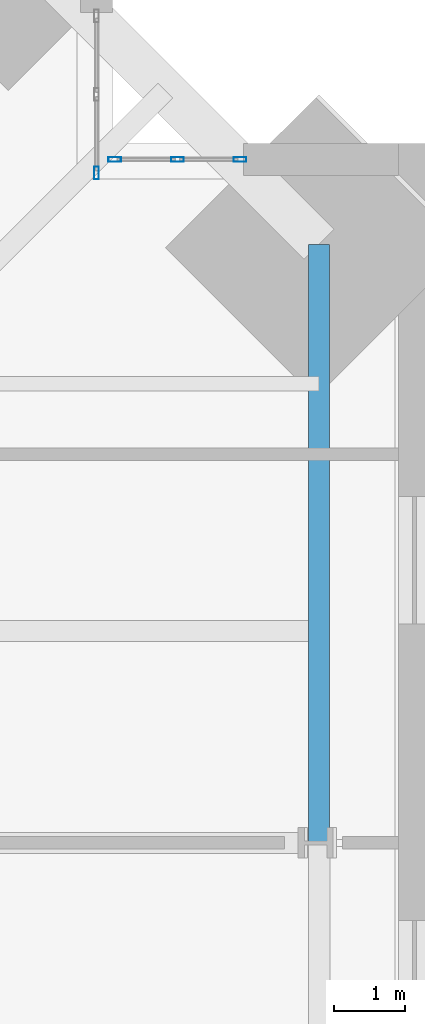
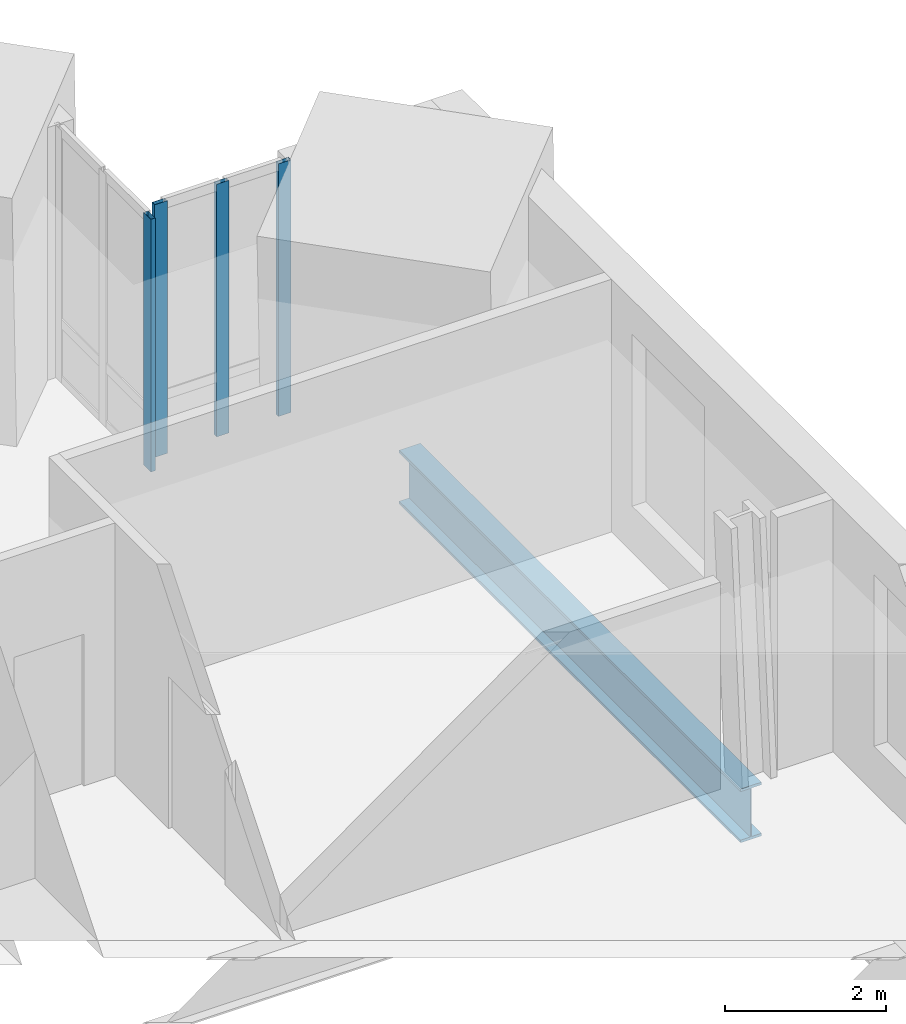
# One storey, part 10 of 18: 4 members, 1 beam, 2 elements without a shape of their own.
"""IFC4 building model written with IfcOpenShell, lengths in metres."""

from ifc_helpers import new_model, si_unit, direction, frame, origin, origin_2d, place, context, subcontext, project, spatial, hollow_rectangle, i_section, extrude, material, material_profile, profile_set, type_object, element, aggregate, save


model = new_model("IFC4")

# Units and contexts
model_context = context("Model", 3, precision=1e-05, world=origin(), true_north=direction((0.0, 1.0)))
body_context = subcontext(model_context, "Body", "Model", "MODEL_VIEW")
ifc_project = project(units=[si_unit("LENGTHUNIT", "METRE"), si_unit("AREAUNIT", "SQUARE_METRE"), si_unit("VOLUMEUNIT", "CUBIC_METRE"), si_unit("PLANEANGLEUNIT", "RADIAN"), si_unit("MASSUNIT", "GRAM", prefix="KILO")], contexts=[model_context])

# Site, building, storey
site_placement = place(None, origin())
site = spatial("IfcSite", under=ifc_project, at=site_placement, CompositionType="ELEMENT")
building_placement = place(site_placement, origin())
building = spatial("IfcBuilding", under=site, at=building_placement, Name="Peilmerk Tower", CompositionType="ELEMENT")
storey_placement = place(building_placement, frame((0.0, 0.0, 249.800048828125)))
storey = spatial("IfcBuildingStorey", under=building, at=storey_placement, Name="L55", CompositionType="ELEMENT", Elevation=249.800048828125)

# Beam
ifc_material_1 = material(Name="Steel S355", Category="steel")
ifc_material_profile_1 = material_profile(ifc_material_1, i_section(OverallWidth=0.302978515625, OverallDepth=0.81396484375, WebThickness=0.02099609375, FlangeThickness=0.0400390625, at=origin_2d()), Name="HEM 800")
ifc_profile_set_1 = profile_set([ifc_material_profile_1], Name="Steel S355")
beam_type = type_object("IfcBeamType", Name="B15 HEM 800 edge beam", PredefinedType="SPANDREL", material=ifc_profile_set_1)
beam_placement = place(storey_placement, frame((20.82421875, 8.0, -0.5771484375), z_axis=(0.0, 1.0, 0.0), x_axis=(-1.0, 0.0, 0.0)))
element("IfcBeam", 1, at=beam_placement, inside=storey, type_object=beam_type, Name="Edge beam L55", PredefinedType="SPANDREL", context=body_context, shape_type="SweptSolid", body=[
    extrude(i_section(OverallWidth=0.302978515625, OverallDepth=0.81396484375, WebThickness=0.02099609375, FlangeThickness=0.0400390625, at=origin_2d()), origin(), (0.0, 0.0, 1.0), 8.47412109375),
])

# Curtain wall, member
ifc_material_2 = material(Name="Aluminium stick curtain wall", Category="aluminium")
curtain_wall_type = type_object("IfcCurtainWallType", Name="CW4 stick curtain wall, 2250 module", PredefinedType="NOTDEFINED", material=ifc_material_2)
curtain_wall_1_placement = place(storey_placement, origin())
curtain_wall_1 = element("IfcCurtainWall", 2, at=curtain_wall_1_placement, inside=storey, type_object=curtain_wall_type, Name="Curtain wall CW4 NEA L55", PredefinedType="NOTDEFINED")
ifc_material_3 = material(Name="Aluminium EN AW-6063 T6", Category="aluminium")
ifc_material_profile_2 = material_profile(ifc_material_3, hollow_rectangle(XDim=0.06494140625, YDim=0.179931640625, WallThickness=0.0029296875, at=origin_2d()), Name="AL 180x65x3")
ifc_profile_set_2 = profile_set([ifc_material_profile_2], Name="Aluminium EN AW-6063 T6")
member_type = type_object("IfcMemberType", Name="CW4-M AL 180x65x3 mullion", PredefinedType="MULLION", material=ifc_profile_set_2)
member_1_placement = place(storey_placement, frame((17.675048828125, 17.482421875, 0.0), z_axis=(0.0, 0.0, 1.0), x_axis=(-1.0, 0.0, 0.0)))
member_1 = element("IfcMember", 3, at=member_1_placement, type_object=member_type, Name="CW4 mullion 1", PredefinedType="MULLION", context=body_context, shape_type="SweptSolid", body=[
    extrude(hollow_rectangle(XDim=0.06494140625, YDim=0.179931640625, WallThickness=0.0029296875, at=origin_2d()), origin(), (0.0, 0.0, 1.0), 3.829833984375),
])
aggregate(curtain_wall_1, [member_1])

# Curtain wall, members
curtain_wall_2_placement = place(storey_placement, origin())
curtain_wall_2 = element("IfcCurtainWall", 4, at=curtain_wall_2_placement, inside=storey, type_object=curtain_wall_type, Name="Curtain wall CW4 NEB L55", PredefinedType="NOTDEFINED")
member_2_placement = place(storey_placement, frame((17.9326171875, 17.675048828125, 0.0), z_axis=(0.0, 0.0, 1.0), x_axis=(0.0, 1.0, 0.0)))
member_2 = element("IfcMember", 5, at=member_2_placement, type_object=member_type, Name="CW4 mullion 1", PredefinedType="MULLION", context=body_context, shape_type="SweptSolid", body=[
    extrude(hollow_rectangle(XDim=0.06494140625, YDim=0.179931640625, WallThickness=0.0029296875, at=origin_2d()), origin(), (0.0, 0.0, 1.0), 3.829833984375),
])
member_3_placement = place(storey_placement, frame((18.8193359375, 17.675048828125, 0.0), z_axis=(0.0, 0.0, 1.0), x_axis=(0.0, 1.0, 0.0)))
member_3 = element("IfcMember", 6, at=member_3_placement, type_object=member_type, Name="CW4 mullion 2", PredefinedType="MULLION", context=body_context, shape_type="SweptSolid", body=[
    extrude(hollow_rectangle(XDim=0.06494140625, YDim=0.179931640625, WallThickness=0.0029296875, at=origin_2d()), origin(), (0.0, 0.0, 1.0), 3.829833984375),
])
member_4_placement = place(storey_placement, frame((19.706298828125, 17.675048828125, 0.0), z_axis=(0.0, 0.0, 1.0), x_axis=(0.0, 1.0, 0.0)))
member_4 = element("IfcMember", 7, at=member_4_placement, type_object=member_type, Name="CW4 mullion 3", PredefinedType="MULLION", context=body_context, shape_type="SweptSolid", body=[
    extrude(hollow_rectangle(XDim=0.06494140625, YDim=0.179931640625, WallThickness=0.0029296875, at=origin_2d()), origin(), (0.0, 0.0, 1.0), 3.829833984375),
])
aggregate(curtain_wall_2, [member_2, member_3, member_4])

save(model, "model.ifc")
